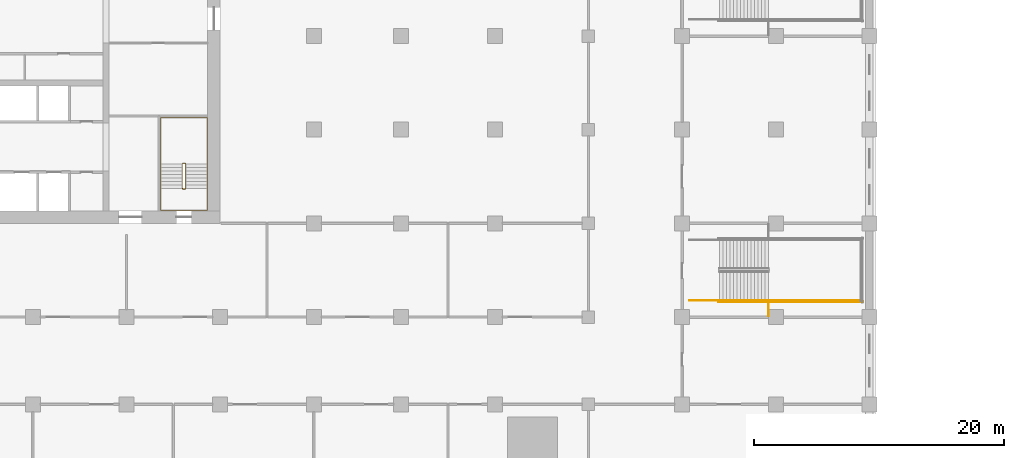
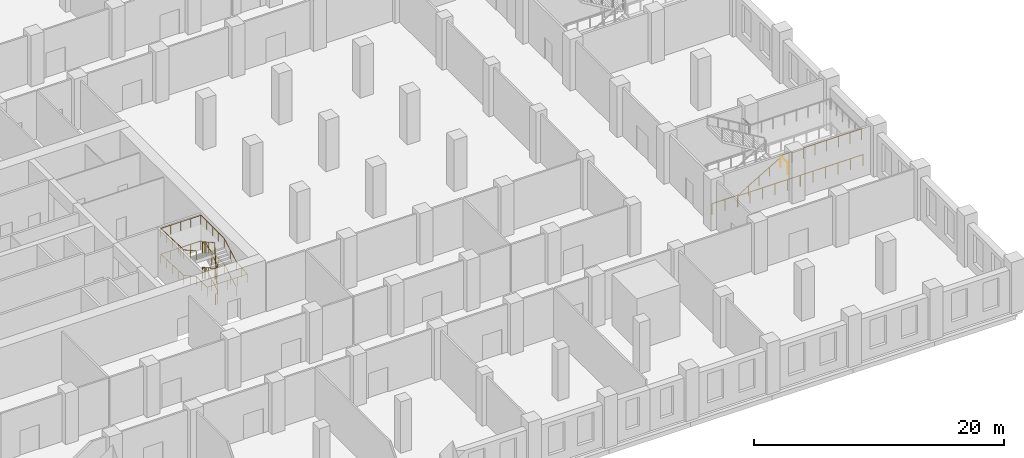
# One storey, part 23 of 32: 7 railings.
"""IFC4 building model written with IfcOpenShell, lengths in metres."""

from ifc_helpers import new_model, si_unit, direction, frame, origin, origin_2d, place, context, subcontext, project, spatial, circle, extrude, material, type_object, element, save


model = new_model("IFC4")

# Units and contexts
model_context = context("Model", 3, precision=1e-05, world=origin(), true_north=direction((0.0, 1.0)))
body_context = subcontext(model_context, "Body", "Model", "MODEL_VIEW")
ifc_project = project(units=[si_unit("LENGTHUNIT", "METRE"), si_unit("AREAUNIT", "SQUARE_METRE"), si_unit("VOLUMEUNIT", "CUBIC_METRE"), si_unit("PLANEANGLEUNIT", "RADIAN"), si_unit("MASSUNIT", "GRAM", prefix="KILO")], contexts=[model_context])

# Site, building, storey
site_placement = place(None, origin())
site = spatial("IfcSite", under=ifc_project, at=site_placement, CompositionType="ELEMENT")
building_placement = place(site_placement, origin())
building = spatial("IfcBuilding", under=site, at=building_placement, Name="Tamorin Gate", CompositionType="ELEMENT")
storey_placement = place(building_placement, frame((0.0, 0.0, 18.5)))
storey = spatial("IfcBuildingStorey", under=building, at=storey_placement, Name="L03", CompositionType="ELEMENT", Elevation=18.5)

# Railings
ifc_material_1 = material(Name="Steel", Category="steel")
railing_type_1 = type_object("IfcRailingType", Name="Podium guard 1100", PredefinedType="GUARDRAIL", material=ifc_material_1)
railing_1_placement = place(storey_placement, frame((103.919921875, 53.824951171875, 2.5)))
element("IfcRailing", 1, at=railing_1_placement, inside=storey, type_object=railing_type_1, Name="L03 PS3 stair guard 3", PredefinedType="GUARDRAIL", context=body_context, shape_type="SweptSolid", body=[
    extrude(circle(Radius=0.02392578125, at=origin_2d()), frame((0.0, 0.0, 1.076171875), z_axis=(1.0, 0.0, 0.0), x_axis=(0.0, 1.0, 0.0)), (0.0, 0.0, 1.0), 7.47998046875),
    extrude(circle(Radius=0.02099609375, at=origin_2d()), origin(), (0.0, 0.0, 1.0), 1.052001953125),
    extrude(circle(Radius=0.02099609375, at=origin_2d()), frame((1.068603515625, 0.0, 0.0)), (0.0, 0.0, 1.0), 1.052001953125),
    extrude(circle(Radius=0.02099609375, at=origin_2d()), frame((2.13720703125, 0.0, 0.0)), (0.0, 0.0, 1.0), 1.052001953125),
    extrude(circle(Radius=0.02099609375, at=origin_2d()), frame((3.205810546875, 0.0, 0.0)), (0.0, 0.0, 1.0), 1.052001953125),
    extrude(circle(Radius=0.02099609375, at=origin_2d()), frame((4.274169921875, 0.0, 0.0)), (0.0, 0.0, 1.0), 1.052001953125),
    extrude(circle(Radius=0.02099609375, at=origin_2d()), frame((5.3427734375, 0.0, 0.0)), (0.0, 0.0, 1.0), 1.052001953125),
    extrude(circle(Radius=0.02099609375, at=origin_2d()), frame((6.411376953125, 0.0, 0.0)), (0.0, 0.0, 1.0), 1.052001953125),
    extrude(circle(Radius=0.02099609375, at=origin_2d()), frame((7.47998046875, 0.0, 0.0)), (0.0, 0.0, 1.0), 1.052001953125),
])
railing_2_placement = place(storey_placement, frame((97.60009765625, 53.824951171875, 0.0)))
element("IfcRailing", 2, at=railing_2_placement, inside=storey, type_object=railing_type_1, Name="L03 PS3 stair guard 8", PredefinedType="GUARDRAIL", context=body_context, shape_type="SweptSolid", body=[
    extrude(circle(Radius=0.02392578125, at=origin_2d()), frame((0.0, 0.0, 1.076171875), z_axis=(1.0, 0.0, 0.0), x_axis=(0.0, 1.0, 0.0)), (0.0, 0.0, 1.0), 2.39990234375),
    extrude(circle(Radius=0.02099609375, at=origin_2d()), origin(), (0.0, 0.0, 1.0), 1.052001953125),
    extrude(circle(Radius=0.02099609375, at=origin_2d()), frame((1.199951171875, 0.0, 0.0)), (0.0, 0.0, 1.0), 1.052001953125),
    extrude(circle(Radius=0.02099609375, at=origin_2d()), frame((2.39990234375, 0.0, 0.0)), (0.0, 0.0, 1.0), 1.052001953125),
])
railing_3_placement = place(storey_placement, frame((99.89990234375, 53.72509765625, 0.0)))
element("IfcRailing", 3, at=railing_3_placement, inside=storey, type_object=railing_type_1, Name="L03 PS3 stair guard 10", PredefinedType="GUARDRAIL", context=body_context, shape_type="SweptSolid", body=[
    extrude(circle(Radius=0.02392578125, at=origin_2d()), frame((0.0, 0.0, 1.076171875), z_axis=(1.0, 0.0, 0.0), x_axis=(0.0, 1.0, 0.0)), (0.0, 0.0, 1.0), 11.60009765625),
    extrude(circle(Radius=0.02099609375, at=origin_2d()), origin(), (0.0, 0.0, 1.0), 1.052001953125),
    extrude(circle(Radius=0.02099609375, at=origin_2d()), frame((1.159912109375, 0.0, 0.0)), (0.0, 0.0, 1.0), 1.052001953125),
    extrude(circle(Radius=0.02099609375, at=origin_2d()), frame((2.320068359375, 0.0, 0.0)), (0.0, 0.0, 1.0), 1.052001953125),
    extrude(circle(Radius=0.02099609375, at=origin_2d()), frame((3.47998046875, 0.0, 0.0)), (0.0, 0.0, 1.0), 1.052001953125),
    extrude(circle(Radius=0.02099609375, at=origin_2d()), frame((4.64013671875, 0.0, 0.0)), (0.0, 0.0, 1.0), 1.052001953125),
    extrude(circle(Radius=0.02099609375, at=origin_2d()), frame((5.800048828125, 0.0, 0.0)), (0.0, 0.0, 1.0), 1.052001953125),
    extrude(circle(Radius=0.02099609375, at=origin_2d()), frame((6.9599609375, 0.0, 0.0)), (0.0, 0.0, 1.0), 1.052001953125),
    extrude(circle(Radius=0.02099609375, at=origin_2d()), frame((8.1201171875, 0.0, 0.0)), (0.0, 0.0, 1.0), 1.052001953125),
    extrude(circle(Radius=0.02099609375, at=origin_2d()), frame((9.280029296875, 0.0, 0.0)), (0.0, 0.0, 1.0), 1.052001953125),
    extrude(circle(Radius=0.02099609375, at=origin_2d()), frame((10.440185546875, 0.0, 0.0)), (0.0, 0.0, 1.0), 1.052001953125),
    extrude(circle(Radius=0.02099609375, at=origin_2d()), frame((11.60009765625, 0.0, 0.0)), (0.0, 0.0, 1.0), 1.052001953125),
])
railing_4_placement = place(storey_placement, frame((103.919921875, 52.60009765625, 2.5)))
element("IfcRailing", 4, at=railing_4_placement, inside=storey, type_object=railing_type_1, Name="Landing edge guard", PredefinedType="GUARDRAIL", context=body_context, shape_type="SweptSolid", body=[
    extrude(circle(Radius=0.02392578125, at=origin_2d()), frame((0.0, 0.0, 1.076171875), z_axis=(0.0, 1.0, 0.0), x_axis=(-1.0, 0.0, 0.0)), (0.0, 0.0, 1.0), 1.1748046875),
    extrude(circle(Radius=0.02099609375, at=origin_2d()), origin(), (0.0, 0.0, 1.0), 1.052001953125),
    extrude(circle(Radius=0.02099609375, at=origin_2d()), frame((0.0, 1.1748046875, 0.0)), (0.0, 0.0, 1.0), 1.052001953125),
])
railing_type_2 = type_object("IfcRailingType", Name="Podium stair handrail 900", PredefinedType="HANDRAIL", material=ifc_material_1)
railing_5_placement = place(storey_placement, frame((100.0, 53.824951171875, 0.166748046875)))
element("IfcRailing", 5, at=railing_5_placement, inside=storey, type_object=railing_type_2, Name="L03 PS3 stair handrail 1", PredefinedType="HANDRAIL", context=body_context, shape_type="SweptSolid", body=[
    extrude(circle(Radius=0.02392578125, at=origin_2d()), frame((0.0, 0.0, 0.8759765625), z_axis=(0.859296244711, 0.0, 0.511478214419), x_axis=(0.0, 1.0, 0.0)), (0.0, 0.0, 1.0), 4.561767578125),
    extrude(circle(Radius=0.02099609375, at=origin_2d()), origin(), (0.0, 0.0, 1.0), 0.851806640625),
    extrude(circle(Radius=0.02099609375, at=origin_2d()), frame((0.97998046875, 0.0, 0.583251953125)), (0.0, 0.0, 1.0), 0.851806640625),
    extrude(circle(Radius=0.02099609375, at=origin_2d()), frame((1.9599609375, 0.0, 1.16650390625)), (0.0, 0.0, 1.0), 0.851806640625),
    extrude(circle(Radius=0.02099609375, at=origin_2d()), frame((2.93994140625, 0.0, 1.75)), (0.0, 0.0, 1.0), 0.851806640625),
    extrude(circle(Radius=0.02099609375, at=origin_2d()), frame((3.919921875, 0.0, 2.333251953125)), (0.0, 0.0, 1.0), 0.851806640625),
])
ifc_material_2 = material(Name="Painted steel balustrade", Category="steel")
railing_type_3 = type_object("IfcRailingType", Name="Stair guard 1100", PredefinedType="GUARDRAIL", material=ifc_material_2)
railing_6_placement = place(storey_placement, frame((57.25, 62.800048828125, 0.15625)))
element("IfcRailing", 6, at=railing_6_placement, inside=storey, type_object=railing_type_3, Name="L03 ST3 stair guard 1", PredefinedType="GUARDRAIL", context=body_context, shape_type="SweptSolid", body=[
    extrude(circle(Radius=0.02392578125, at=origin_2d()), frame((0.0, 0.0, 1.076171875), z_axis=(0.0, 0.873232148454, 0.487304437602), x_axis=(-1.0, 0.0, 0.0)), (0.0, 0.0, 1.0), 2.244384765625),
    extrude(circle(Radius=0.02392578125, at=origin_2d()), frame((0.0, 1.9599609375, 2.169921875), z_axis=(-0.707106781187, 0.707106781187, 0.0), x_axis=(-0.707106781187, -0.707106781187, 0.0)), (0.0, 0.0, 1.0), 0.07080078125),
    extrude(circle(Radius=0.02392578125, at=origin_2d()), frame((-0.050048828125, 2.010009765625, 2.169921875), z_axis=(-1.0, 0.0, 0.0), x_axis=(0.0, -1.0, 0.0)), (0.0, 0.0, 1.0), 0.199951171875),
    extrude(circle(Radius=0.02392578125, at=origin_2d()), frame((-0.25, 2.010009765625, 2.169921875), z_axis=(-0.29177245553, -0.29177245553, 0.91089937336), x_axis=(0.707106781187, -0.707106781187, 0.0)), (0.0, 0.0, 1.0), 0.171630859375),
    extrude(circle(Radius=0.02392578125, at=origin_2d()), frame((-0.300048828125, 1.9599609375, 2.326171875), z_axis=(0.0, -0.873232148454, 0.487304437602), x_axis=(1.0, 0.0, 0.0)), (0.0, 0.0, 1.0), 2.244384765625),
    extrude(circle(Radius=0.02392578125, at=origin_2d()), frame((-0.300048828125, 0.0, 3.419921875), z_axis=(0.98054382908, -0.196300278283, 0.0), x_axis=(0.196300278283, 0.98054382908, 0.0)), (0.0, 0.0, 1.0), 0.2548828125),
    extrude(circle(Radius=0.02392578125, at=origin_2d()), frame((-0.050048828125, -0.050048828125, 3.419921875), z_axis=(-1.0, 0.0, 0.0), x_axis=(0.0, -1.0, 0.0)), (0.0, 0.0, 1.0), 0.199951171875),
    extrude(circle(Radius=0.02392578125, at=origin_2d()), frame((-0.25, -0.050048828125, 3.419921875), z_axis=(0.836036486302, 0.167370585637, 0.522522803939), x_axis=(-0.196300278283, 0.98054382908, 0.0)), (0.0, 0.0, 1.0), 0.299072265625),
    extrude(circle(Radius=0.02392578125, at=origin_2d()), frame((0.0, 0.0, 3.576171875), z_axis=(0.0, 0.873232148454, 0.487304437602), x_axis=(-1.0, 0.0, 0.0)), (0.0, 0.0, 1.0), 2.244384765625),
    extrude(circle(Radius=0.02392578125, at=origin_2d()), frame((0.0, 1.9599609375, 4.669921875), z_axis=(-0.707106781187, 0.707106781187, 0.0), x_axis=(-0.707106781187, -0.707106781187, 0.0)), (0.0, 0.0, 1.0), 0.07080078125),
    extrude(circle(Radius=0.02392578125, at=origin_2d()), frame((-0.050048828125, 2.010009765625, 4.669921875), z_axis=(-1.0, 0.0, 0.0), x_axis=(0.0, -1.0, 0.0)), (0.0, 0.0, 1.0), 0.199951171875),
    extrude(circle(Radius=0.02392578125, at=origin_2d()), frame((-0.25, 2.010009765625, 4.669921875), z_axis=(-0.29177245553, -0.29177245553, 0.91089937336), x_axis=(0.707106781187, -0.707106781187, 0.0)), (0.0, 0.0, 1.0), 0.171630859375),
    extrude(circle(Radius=0.02392578125, at=origin_2d()), frame((-0.300048828125, 1.9599609375, 4.826171875), z_axis=(0.0, -0.873232148454, 0.487304437602), x_axis=(1.0, 0.0, 0.0)), (0.0, 0.0, 1.0), 2.244384765625),
    extrude(circle(Radius=0.02392578125, at=origin_2d()), frame((-0.300048828125, 0.0, 5.919921875), z_axis=(0.04993512161, -0.009996777275, -0.998702432196), x_axis=(0.196300278283, 0.98054382908, 0.0)), (0.0, 0.0, 1.0), 5.006591796875),
    extrude(circle(Radius=0.02392578125, at=origin_2d()), frame((-0.050048828125, -0.050048828125, 0.919921875), z_axis=(-1.0, 0.0, 0.0), x_axis=(0.0, -1.0, 0.0)), (0.0, 0.0, 1.0), 0.199951171875),
    extrude(circle(Radius=0.02099609375, at=origin_2d()), origin(), (0.0, 0.0, 1.0), 1.052001953125),
    extrude(circle(Radius=0.02099609375, at=origin_2d()), frame((0.0, 0.97998046875, 0.546875)), (0.0, 0.0, 1.0), 1.052001953125),
    extrude(circle(Radius=0.02099609375, at=origin_2d()), frame((0.0, 1.9599609375, 1.09375)), (0.0, 0.0, 1.0), 1.052001953125),
    extrude(circle(Radius=0.02099609375, at=origin_2d()), frame((-0.050048828125, 2.010009765625, 1.09375)), (0.0, 0.0, 1.0), 1.052001953125),
    extrude(circle(Radius=0.02099609375, at=origin_2d()), frame((-0.25, 2.010009765625, 1.09375)), (0.0, 0.0, 1.0), 1.052001953125),
    extrude(circle(Radius=0.02099609375, at=origin_2d()), frame((-0.300048828125, 1.9599609375, 1.25)), (0.0, 0.0, 1.0), 1.052001953125),
    extrude(circle(Radius=0.02099609375, at=origin_2d()), frame((-0.300048828125, 0.97998046875, 1.796875)), (0.0, 0.0, 1.0), 1.052001953125),
    extrude(circle(Radius=0.02099609375, at=origin_2d()), frame((-0.300048828125, 0.0, 2.34375)), (0.0, 0.0, 1.0), 1.052001953125),
    extrude(circle(Radius=0.02099609375, at=origin_2d()), frame((-0.050048828125, -0.050048828125, 2.34375)), (0.0, 0.0, 1.0), 1.052001953125),
    extrude(circle(Radius=0.02099609375, at=origin_2d()), frame((-0.25, -0.050048828125, 2.34375)), (0.0, 0.0, 1.0), 1.052001953125),
    extrude(circle(Radius=0.02099609375, at=origin_2d()), frame((0.0, 0.0, 2.5)), (0.0, 0.0, 1.0), 1.052001953125),
    extrude(circle(Radius=0.02099609375, at=origin_2d()), frame((0.0, 0.97998046875, 3.046875)), (0.0, 0.0, 1.0), 1.052001953125),
    extrude(circle(Radius=0.02099609375, at=origin_2d()), frame((0.0, 1.9599609375, 3.59375)), (0.0, 0.0, 1.0), 1.052001953125),
    extrude(circle(Radius=0.02099609375, at=origin_2d()), frame((-0.050048828125, 2.010009765625, 3.59375)), (0.0, 0.0, 1.0), 1.052001953125),
    extrude(circle(Radius=0.02099609375, at=origin_2d()), frame((-0.25, 2.010009765625, 3.59375)), (0.0, 0.0, 1.0), 1.052001953125),
    extrude(circle(Radius=0.02099609375, at=origin_2d()), frame((-0.300048828125, 1.9599609375, 3.75)), (0.0, 0.0, 1.0), 1.052001953125),
    extrude(circle(Radius=0.02099609375, at=origin_2d()), frame((-0.300048828125, 0.97998046875, 4.296875)), (0.0, 0.0, 1.0), 1.052001953125),
    extrude(circle(Radius=0.02099609375, at=origin_2d()), frame((-0.300048828125, 0.0, 4.84375)), (0.0, 0.0, 1.0), 1.052001953125),
    extrude(circle(Radius=0.02099609375, at=origin_2d()), frame((-0.25, -0.010009765625, 3.84375)), (0.0, 0.0, 1.0), 1.052001953125),
    extrude(circle(Radius=0.02099609375, at=origin_2d()), frame((-0.199951171875, -0.02001953125, 2.84375)), (0.0, 0.0, 1.0), 1.052001953125),
    extrude(circle(Radius=0.02099609375, at=origin_2d()), frame((-0.150146484375, -0.030029296875, 1.84375)), (0.0, 0.0, 1.0), 1.052001953125),
    extrude(circle(Radius=0.02099609375, at=origin_2d()), frame((-0.10009765625, -0.0400390625, 0.84375)), (0.0, 0.0, 1.0), 1.052001953125),
    extrude(circle(Radius=0.02099609375, at=origin_2d()), frame((-0.050048828125, -0.050048828125, -0.15625)), (0.0, 0.0, 1.0), 1.052001953125),
    extrude(circle(Radius=0.02099609375, at=origin_2d()), frame((-0.25, -0.050048828125, -0.15625)), (0.0, 0.0, 1.0), 1.052001953125),
])
ifc_material_3 = material(Name="Painted steel handrail", Category="steel")
railing_type_4 = type_object("IfcRailingType", Name="Stair handrail 900", PredefinedType="HANDRAIL", material=ifc_material_3)
railing_7_placement = place(storey_placement, frame((58.949951171875, 62.800048828125, 0.15625)))
element("IfcRailing", 7, at=railing_7_placement, inside=storey, type_object=railing_type_4, Name="L03 ST3 stair handrail 1", PredefinedType="HANDRAIL", context=body_context, shape_type="SweptSolid", body=[
    extrude(circle(Radius=0.02392578125, at=origin_2d()), frame((0.0, 0.0, 0.8759765625), z_axis=(0.0, 0.873232148454, 0.487304437602), x_axis=(-1.0, 0.0, 0.0)), (0.0, 0.0, 1.0), 2.244384765625),
    extrude(circle(Radius=0.02392578125, at=origin_2d()), frame((0.0, 1.9599609375, 1.9697265625), z_axis=(0.0, 1.0, 0.0), x_axis=(-1.0, 0.0, 0.0)), (0.0, 0.0, 1.0), 3.68994140625),
    extrude(circle(Radius=0.02392578125, at=origin_2d()), frame((0.0, 5.64990234375, 1.9697265625), z_axis=(-1.0, 0.0, 0.0), x_axis=(0.0, -1.0, 0.0)), (0.0, 0.0, 1.0), 3.699951171875),
    extrude(circle(Radius=0.02392578125, at=origin_2d()), frame((-3.699951171875, 5.64990234375, 1.9697265625), z_axis=(0.0, -0.999104660901, 0.042306932842), x_axis=(1.0, 0.0, 0.0)), (0.0, 0.0, 1.0), 3.693359375),
    extrude(circle(Radius=0.02392578125, at=origin_2d()), frame((-3.699951171875, 1.9599609375, 2.1259765625), z_axis=(0.0, -0.873232148454, 0.487304437602), x_axis=(1.0, 0.0, 0.0)), (0.0, 0.0, 1.0), 2.244384765625),
    extrude(circle(Radius=0.02392578125, at=origin_2d()), frame((-3.699951171875, 0.0, 3.2197265625), z_axis=(0.0, -1.0, 0.0), x_axis=(1.0, 0.0, 0.0)), (0.0, 0.0, 1.0), 1.75),
    extrude(circle(Radius=0.02392578125, at=origin_2d()), frame((-3.699951171875, -1.75, 3.2197265625), z_axis=(1.0, 0.0, 0.0), x_axis=(0.0, 1.0, 0.0)), (0.0, 0.0, 1.0), 3.699951171875),
    extrude(circle(Radius=0.02392578125, at=origin_2d()), frame((0.0, -1.75, 3.2197265625), z_axis=(0.0, 0.996037705314, 0.088931937975), x_axis=(-1.0, 0.0, 0.0)), (0.0, 0.0, 1.0), 1.757080078125),
    extrude(circle(Radius=0.02392578125, at=origin_2d()), frame((0.0, 0.0, 3.3759765625), z_axis=(0.0, 0.873232148454, 0.487304437602), x_axis=(-1.0, 0.0, 0.0)), (0.0, 0.0, 1.0), 2.244384765625),
    extrude(circle(Radius=0.02392578125, at=origin_2d()), frame((0.0, 1.9599609375, 4.4697265625), z_axis=(0.0, 1.0, 0.0), x_axis=(-1.0, 0.0, 0.0)), (0.0, 0.0, 1.0), 3.68994140625),
    extrude(circle(Radius=0.02392578125, at=origin_2d()), frame((0.0, 5.64990234375, 4.4697265625), z_axis=(-1.0, 0.0, 0.0), x_axis=(0.0, -1.0, 0.0)), (0.0, 0.0, 1.0), 3.699951171875),
    extrude(circle(Radius=0.02392578125, at=origin_2d()), frame((-3.699951171875, 5.64990234375, 4.4697265625), z_axis=(0.0, -0.999104660901, 0.042306932842), x_axis=(1.0, 0.0, 0.0)), (0.0, 0.0, 1.0), 3.693359375),
    extrude(circle(Radius=0.02392578125, at=origin_2d()), frame((-3.699951171875, 1.9599609375, 4.6259765625), z_axis=(0.0, -0.873232148454, 0.487304437602), x_axis=(1.0, 0.0, 0.0)), (0.0, 0.0, 1.0), 2.244384765625),
    extrude(circle(Radius=0.02099609375, at=origin_2d()), origin(), (0.0, 0.0, 1.0), 0.851806640625),
    extrude(circle(Radius=0.02099609375, at=origin_2d()), frame((0.0, 0.97998046875, 0.546875)), (0.0, 0.0, 1.0), 0.851806640625),
    extrude(circle(Radius=0.02099609375, at=origin_2d()), frame((0.0, 1.9599609375, 1.09375)), (0.0, 0.0, 1.0), 0.851806640625),
    extrude(circle(Radius=0.02099609375, at=origin_2d()), frame((0.0, 2.88232421875, 1.09375)), (0.0, 0.0, 1.0), 0.851806640625),
    extrude(circle(Radius=0.02099609375, at=origin_2d()), frame((0.0, 3.804931640625, 1.09375)), (0.0, 0.0, 1.0), 0.851806640625),
    extrude(circle(Radius=0.02099609375, at=origin_2d()), frame((0.0, 4.7275390625, 1.09375)), (0.0, 0.0, 1.0), 0.851806640625),
    extrude(circle(Radius=0.02099609375, at=origin_2d()), frame((0.0, 5.64990234375, 1.09375)), (0.0, 0.0, 1.0), 0.851806640625),
    extrude(circle(Radius=0.02099609375, at=origin_2d()), frame((-0.925048828125, 5.64990234375, 1.09375)), (0.0, 0.0, 1.0), 0.851806640625),
    extrude(circle(Radius=0.02099609375, at=origin_2d()), frame((-1.85009765625, 5.64990234375, 1.09375)), (0.0, 0.0, 1.0), 0.851806640625),
    extrude(circle(Radius=0.02099609375, at=origin_2d()), frame((-2.77490234375, 5.64990234375, 1.09375)), (0.0, 0.0, 1.0), 0.851806640625),
    extrude(circle(Radius=0.02099609375, at=origin_2d()), frame((-3.699951171875, 5.64990234375, 1.09375)), (0.0, 0.0, 1.0), 0.851806640625),
    extrude(circle(Radius=0.02099609375, at=origin_2d()), frame((-3.699951171875, 4.7275390625, 1.1328125)), (0.0, 0.0, 1.0), 0.851806640625),
    extrude(circle(Radius=0.02099609375, at=origin_2d()), frame((-3.699951171875, 3.804931640625, 1.171875)), (0.0, 0.0, 1.0), 0.851806640625),
    extrude(circle(Radius=0.02099609375, at=origin_2d()), frame((-3.699951171875, 2.88232421875, 1.2109375)), (0.0, 0.0, 1.0), 0.851806640625),
    extrude(circle(Radius=0.02099609375, at=origin_2d()), frame((-3.699951171875, 1.9599609375, 1.25)), (0.0, 0.0, 1.0), 0.851806640625),
    extrude(circle(Radius=0.02099609375, at=origin_2d()), frame((-3.699951171875, 0.97998046875, 1.796875)), (0.0, 0.0, 1.0), 0.851806640625),
    extrude(circle(Radius=0.02099609375, at=origin_2d()), frame((-3.699951171875, 0.0, 2.34375)), (0.0, 0.0, 1.0), 0.851806640625),
    extrude(circle(Radius=0.02099609375, at=origin_2d()), frame((-3.699951171875, -0.875, 2.34375)), (0.0, 0.0, 1.0), 0.851806640625),
    extrude(circle(Radius=0.02099609375, at=origin_2d()), frame((-3.699951171875, -1.75, 2.34375)), (0.0, 0.0, 1.0), 0.851806640625),
    extrude(circle(Radius=0.02099609375, at=origin_2d()), frame((-2.77490234375, -1.75, 2.34375)), (0.0, 0.0, 1.0), 0.851806640625),
    extrude(circle(Radius=0.02099609375, at=origin_2d()), frame((-1.85009765625, -1.75, 2.34375)), (0.0, 0.0, 1.0), 0.851806640625),
    extrude(circle(Radius=0.02099609375, at=origin_2d()), frame((-0.925048828125, -1.75, 2.34375)), (0.0, 0.0, 1.0), 0.851806640625),
    extrude(circle(Radius=0.02099609375, at=origin_2d()), frame((0.0, -1.75, 2.34375)), (0.0, 0.0, 1.0), 0.851806640625),
    extrude(circle(Radius=0.02099609375, at=origin_2d()), frame((0.0, -0.875, 2.421875)), (0.0, 0.0, 1.0), 0.851806640625),
    extrude(circle(Radius=0.02099609375, at=origin_2d()), frame((0.0, 0.0, 2.5)), (0.0, 0.0, 1.0), 0.851806640625),
    extrude(circle(Radius=0.02099609375, at=origin_2d()), frame((0.0, 0.97998046875, 3.046875)), (0.0, 0.0, 1.0), 0.851806640625),
    extrude(circle(Radius=0.02099609375, at=origin_2d()), frame((0.0, 1.9599609375, 3.59375)), (0.0, 0.0, 1.0), 0.851806640625),
    extrude(circle(Radius=0.02099609375, at=origin_2d()), frame((0.0, 2.88232421875, 3.59375)), (0.0, 0.0, 1.0), 0.851806640625),
    extrude(circle(Radius=0.02099609375, at=origin_2d()), frame((0.0, 3.804931640625, 3.59375)), (0.0, 0.0, 1.0), 0.851806640625),
    extrude(circle(Radius=0.02099609375, at=origin_2d()), frame((0.0, 4.7275390625, 3.59375)), (0.0, 0.0, 1.0), 0.851806640625),
    extrude(circle(Radius=0.02099609375, at=origin_2d()), frame((0.0, 5.64990234375, 3.59375)), (0.0, 0.0, 1.0), 0.851806640625),
    extrude(circle(Radius=0.02099609375, at=origin_2d()), frame((-0.925048828125, 5.64990234375, 3.59375)), (0.0, 0.0, 1.0), 0.851806640625),
    extrude(circle(Radius=0.02099609375, at=origin_2d()), frame((-1.85009765625, 5.64990234375, 3.59375)), (0.0, 0.0, 1.0), 0.851806640625),
    extrude(circle(Radius=0.02099609375, at=origin_2d()), frame((-2.77490234375, 5.64990234375, 3.59375)), (0.0, 0.0, 1.0), 0.851806640625),
    extrude(circle(Radius=0.02099609375, at=origin_2d()), frame((-3.699951171875, 5.64990234375, 3.59375)), (0.0, 0.0, 1.0), 0.851806640625),
    extrude(circle(Radius=0.02099609375, at=origin_2d()), frame((-3.699951171875, 4.7275390625, 3.6328125)), (0.0, 0.0, 1.0), 0.851806640625),
    extrude(circle(Radius=0.02099609375, at=origin_2d()), frame((-3.699951171875, 3.804931640625, 3.671875)), (0.0, 0.0, 1.0), 0.851806640625),
    extrude(circle(Radius=0.02099609375, at=origin_2d()), frame((-3.699951171875, 2.88232421875, 3.7109375)), (0.0, 0.0, 1.0), 0.851806640625),
    extrude(circle(Radius=0.02099609375, at=origin_2d()), frame((-3.699951171875, 1.9599609375, 3.75)), (0.0, 0.0, 1.0), 0.851806640625),
    extrude(circle(Radius=0.02099609375, at=origin_2d()), frame((-3.699951171875, 0.97998046875, 4.296875)), (0.0, 0.0, 1.0), 0.851806640625),
    extrude(circle(Radius=0.02099609375, at=origin_2d()), frame((-3.699951171875, 0.0, 4.84375)), (0.0, 0.0, 1.0), 0.851806640625),
])

save(model, "model.ifc")
